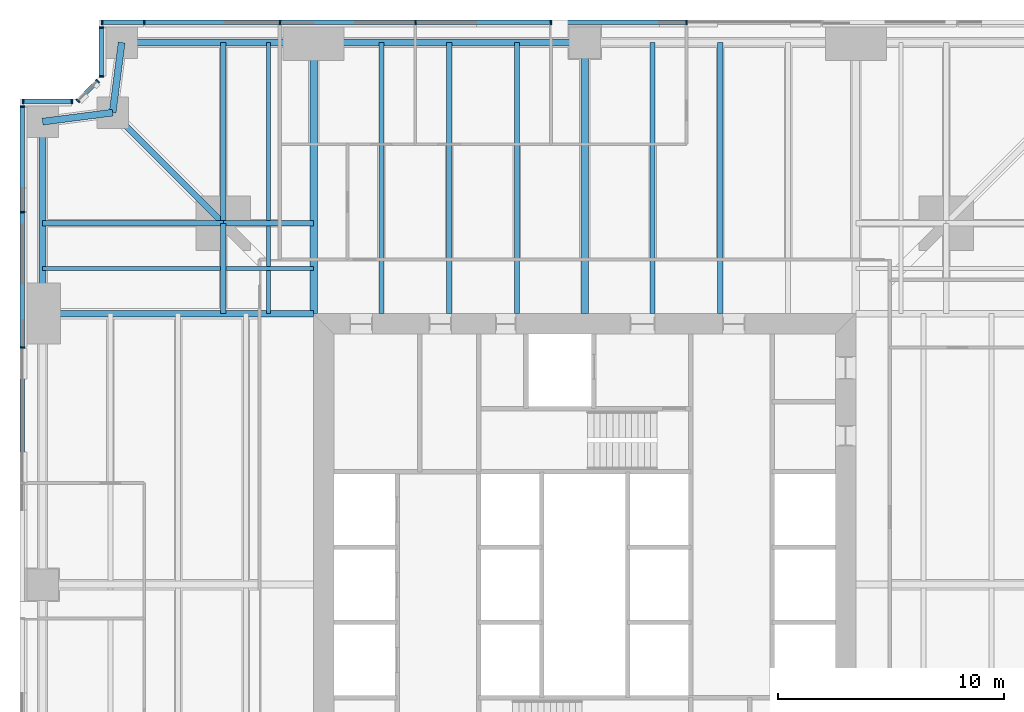
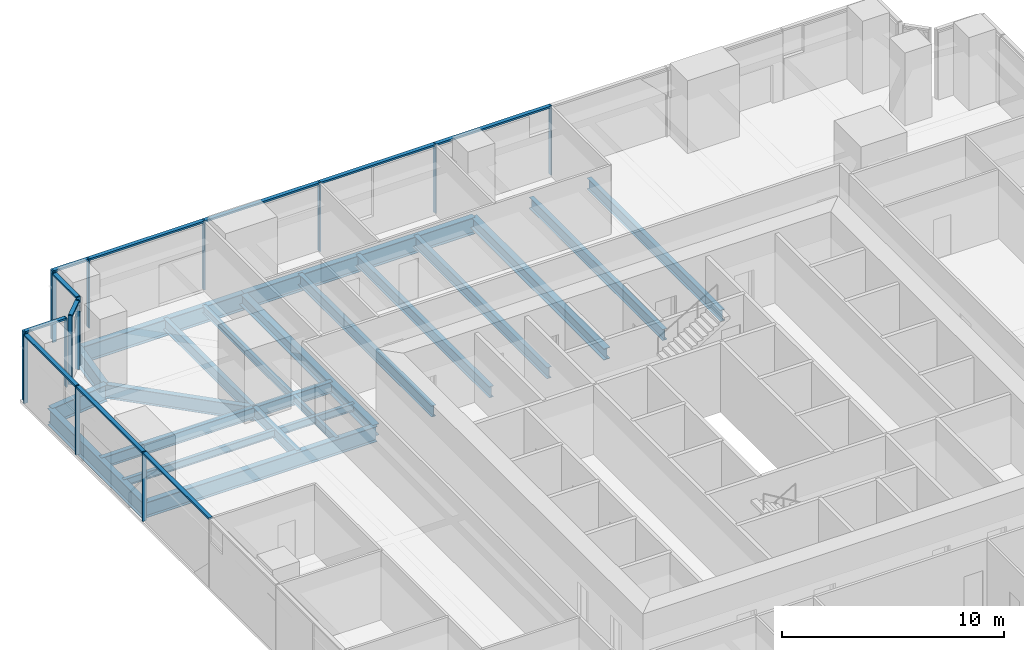
# One storey, part 6 of 14: 26 members, 23 beams, 5 elements without a shape of their own.
"""IFC4 building model written with IfcOpenShell, lengths in metres."""

import ifcopenshell
import ifcopenshell.guid

model = None  # the IFC model being written
_history = None  # IfcOwnerHistory: only IFC2X3 demands one
_inside = {}  # id of a spatial element -> (the spatial element, [elements in it])
_under = {}  # id of a project, library or spatial element -> (it, [spatial elements below it])
_declared = {}  # id of a project -> (the project, [libraries it declares])
_typed = {}  # id of a type object -> (the type object, [elements of that type])
_made_of = {}  # id of a material, layer set ... -> (it, [elements and type objects made of it])


def new_model(schema):
    """Start an empty IFC model of exactly this schema.

    Asked for "IFC4X3", IfcOpenShell would pick the latest addendum, in which some entities
    have other attributes; the version numbers below select the first issue.
    IFC2X3 requires an IfcOwnerHistory on every rooted entity: one is made here for all.
    """
    global model, _history
    if schema == "IFC4X3":
        model = ifcopenshell.file(schema_version=(4, 3, 0, 0))
    else:
        model = ifcopenshell.file(schema=schema)
    _inside.clear()
    _under.clear()
    _declared.clear()
    _typed.clear()
    _made_of.clear()
    _history = None
    if model.schema == "IFC2X3":
        org = make("IfcOrganization", Name="unknown")
        user = make(
            "IfcPersonAndOrganization",
            ThePerson=make("IfcPerson", FamilyName="unknown"),
            TheOrganization=org,
        )
        app = make(
            "IfcApplication",
            ApplicationDeveloper=org,
            Version="unknown",
            ApplicationFullName="unknown",
            ApplicationIdentifier="unknown",
        )
        _history = make(
            "IfcOwnerHistory",
            OwningUser=user,
            OwningApplication=app,
            ChangeAction="ADDED",
            CreationDate=0,
        )
    return model


def make(cls, **values):
    """One entity of the class cls with the attributes given. An attribute that is None is left unset."""
    return model.create_entity(
        cls, **{name: value for name, value in values.items() if value is not None}
    )


def rooted(cls, **values):
    """An entity with a GlobalId (a new one), such as an element, a storey or a relation."""
    return make(cls, GlobalId=ifcopenshell.guid.new(), OwnerHistory=_history, **values)


def si_unit(unit_type, name, prefix=None):
    """IfcSIUnit, for example si_unit("LENGTHUNIT", "METRE", prefix="MILLI")."""
    return make("IfcSIUnit", UnitType=unit_type, Prefix=prefix, Name=name)


def assignment(units):
    """IfcUnitAssignment: the units of a project."""
    return None if units is None else make("IfcUnitAssignment", Units=units)


def point(xyz):
    """IfcCartesianPoint."""
    return None if xyz is None else make("IfcCartesianPoint", Coordinates=xyz)


def direction(xyz):
    """IfcDirection."""
    return None if xyz is None else make("IfcDirection", DirectionRatios=xyz)


def frame(location, z_axis=None, x_axis=None):
    """IfcAxis2Placement3D, a coordinate frame: its origin and axes. An axis left out is left unset."""
    return make(
        "IfcAxis2Placement3D",
        Location=point(location),
        Axis=direction(z_axis),
        RefDirection=direction(x_axis),
    )


def frame_2d(location, x_axis=None):
    """IfcAxis2Placement2D, a coordinate frame in the plane: its origin and x axis."""
    return make(
        "IfcAxis2Placement2D", Location=point(location), RefDirection=direction(x_axis)
    )


def origin():
    """The frame at (0, 0, 0) with its axes left unset."""
    return frame((0.0, 0.0, 0.0))


def origin_2d():
    """The frame at (0, 0) in the plane with its x axis left unset."""
    return frame_2d((0.0, 0.0))


def place(relative_to, where):
    """IfcLocalPlacement: puts the frame where relative to a parent placement (None: the world)."""
    return make(
        "IfcLocalPlacement", PlacementRelTo=relative_to, RelativePlacement=where
    )


def context(
    kind, dimensions, precision=None, world=None, true_north=None, identifier=None
):
    """IfcGeometricRepresentationContext, for example the 3D "Model" context."""
    return make(
        "IfcGeometricRepresentationContext",
        ContextIdentifier=identifier,
        ContextType=kind,
        CoordinateSpaceDimension=dimensions,
        Precision=precision,
        WorldCoordinateSystem=world,
        TrueNorth=true_north,
    )


def subcontext(parent, identifier, kind, view, scale=None):
    """IfcGeometricRepresentationSubContext, for example "Body" below "Model"."""
    return make(
        "IfcGeometricRepresentationSubContext",
        ContextIdentifier=identifier,
        ContextType=kind,
        ParentContext=parent,
        TargetScale=scale,
        TargetView=view,
    )


def project(units=None, contexts=None):
    """IfcProject with its units and contexts."""
    return rooted(
        "IfcProject",
        Name="project",
        RepresentationContexts=contexts,
        UnitsInContext=assignment(units),
    )


def spatial(cls, under=None, at=None, **own):
    """A site, building, storey or space (cls), placed at a placement, below another one or the project."""
    s = rooted(cls, ObjectPlacement=at, **own)
    if under is not None:
        _under.setdefault(under.id(), (under, []))[1].append(s)
    return s


def profile(cls, at=None, kind="AREA", **sizes):
    """A parametric profile (cls). Its sizes go by their IFC names, for example OverallWidth=200.0."""
    return make(cls, ProfileType=kind, Position=at, **sizes)


def rectangle(**sizes):
    """IfcRectangleProfileDef."""
    return profile("IfcRectangleProfileDef", **sizes)


def i_section(**sizes):
    """IfcIShapeProfileDef."""
    return profile("IfcIShapeProfileDef", **sizes)


def extrude(swept, where, along, depth):
    """IfcExtrudedAreaSolid: the profile swept, set in the frame where, extruded along a direction by depth."""
    return make(
        "IfcExtrudedAreaSolid",
        SweptArea=swept,
        Position=where,
        ExtrudedDirection=direction(along),
        Depth=depth,
    )


def shape(context_of_items, identifier, shape_type, items):
    """IfcShapeRepresentation: the items that make up one representation, for example the "Body"."""
    return make(
        "IfcShapeRepresentation",
        ContextOfItems=context_of_items,
        RepresentationIdentifier=identifier,
        RepresentationType=shape_type,
        Items=items,
    )


def material(Name=None, Category=None):
    """IfcMaterial."""
    return make("IfcMaterial", Name=Name, Category=Category)


def material_profile(
    of_material, cross_section, Name=None, Category=None, Priority=None
):
    """IfcMaterialProfile: a cross section and its material."""
    return make(
        "IfcMaterialProfile",
        Name=Name,
        Material=of_material,
        Profile=cross_section,
        Priority=Priority,
        Category=Category,
    )


def profile_set(profiles, Name=None, composite=None):
    """IfcMaterialProfileSet."""
    return make(
        "IfcMaterialProfileSet",
        Name=Name,
        MaterialProfiles=profiles,
        CompositeProfile=composite,
    )


def made_of(thing, what):
    """Note that an element or type object is made of a material, layer set ...; save() writes the relation."""
    if what is not None:
        _made_of.setdefault(what.id(), (what, []))[1].append(thing)
    return thing


def type_object(cls, material=None, **own):
    """A type object (cls), such as IfcWallType, which elements share."""
    return made_of(rooted(cls, **own), material)


def element(
    cls,
    number,
    at=None,
    inside=None,
    cuts=None,
    type_object=None,
    material=None,
    context=None,
    identifier="Body",
    shape_type=None,
    held_by="IfcProductDefinitionShape",
    body=None,
    shapes=None,
    **own,
):
    """One element of the class cls, such as IfcWall. Its Tag is "e" and its number.

    at: its placement. inside: the storey or other place that contains it. cuts: it is an
    opening in that element (IfcRelVoidsElement). A single representation is given by context,
    identifier, shape_type and body (its items); several are given by shapes. held_by: the class
    of the entity that holds the representations. save() writes the other relations.
    """
    e = rooted(cls, Tag="e%d" % number, ObjectPlacement=at, **own)
    if body is not None:
        shapes = [shape(context, identifier, shape_type, body)]
    if shapes is not None:
        e.Representation = make(held_by, Representations=shapes)
    if inside is not None:
        _inside.setdefault(inside.id(), (inside, []))[1].append(e)
    if cuts is not None:
        rooted(
            "IfcRelVoidsElement", RelatingBuildingElement=cuts, RelatedOpeningElement=e
        )
    if type_object is not None:
        _typed.setdefault(type_object.id(), (type_object, []))[1].append(e)
    return made_of(e, material)


def aggregate(whole, parts):
    """IfcRelAggregates: a whole, such as a stair, and the parts it consists of."""
    return rooted("IfcRelAggregates", RelatingObject=whole, RelatedObjects=parts)


def save(model, path):
    """Write the relations noted so far, then the file.

    IfcRelAggregates (storeys below a building ...), IfcRelContainedInSpatialStructure (elements
    in a storey), IfcRelDefinesByType, IfcRelAssociatesMaterial and IfcRelDeclares: one each for
    every whole, place, type object, material and project.
    """
    for whole, parts in _under.values():
        aggregate(whole, parts)
    for where, things in _inside.values():
        rooted(
            "IfcRelContainedInSpatialStructure",
            RelatedElements=things,
            RelatingStructure=where,
        )
    for kind, things in _typed.values():
        rooted("IfcRelDefinesByType", RelatedObjects=things, RelatingType=kind)
    for what, things in _made_of.values():
        rooted("IfcRelAssociatesMaterial", RelatedObjects=things, RelatingMaterial=what)
    for by, libraries in _declared.values():
        rooted("IfcRelDeclares", RelatingContext=by, RelatedDefinitions=libraries)
    model.write(path)


model = new_model("IFC4")

# Units and contexts
model_context = context("Model", 3, precision=1e-05, world=origin(), true_north=direction((0.0, 1.0)))
body_context = subcontext(model_context, "Body", "Model", "MODEL_VIEW")
ifc_project = project(units=[si_unit("LENGTHUNIT", "METRE"), si_unit("AREAUNIT", "SQUARE_METRE"), si_unit("VOLUMEUNIT", "CUBIC_METRE"), si_unit("PLANEANGLEUNIT", "RADIAN"), si_unit("MASSUNIT", "GRAM", prefix="KILO")], contexts=[model_context])

# Site, building, storey
site_placement = place(None, origin())
site = spatial("IfcSite", under=ifc_project, at=site_placement, CompositionType="ELEMENT")
building_placement = place(site_placement, origin())
building = spatial("IfcBuilding", under=site, at=building_placement, Name="Fenwick Lantern Interchange", CompositionType="ELEMENT")
storey_placement = place(building_placement, frame((0.0, 0.0, 87.0)))
storey = spatial("IfcBuildingStorey", under=building, at=storey_placement, Name="L20", CompositionType="ELEMENT", Elevation=87.0)

# Beams
ifc_material_1 = material(Name="Steel ASTM A992 Grade 50", Category="steel")
ifc_material_profile_1 = material_profile(ifc_material_1, i_section(OverallWidth=0.3046875, OverallDepth=0.911865234375, WebThickness=0.015869140625, FlangeThickness=0.02392578125, at=origin_2d()), Name="W36X150")
ifc_profile_set_1 = profile_set([ifc_material_profile_1], Name="Steel ASTM A992 Grade 50")
beam_type_1 = type_object("IfcBeamType", Name="EDGE BEAM W36X150", PredefinedType="SPANDREL", material=ifc_profile_set_1)
beam_1_placement = place(storey_placement, frame((25.0, 49.0, -0.60595703125), z_axis=(-1.0, 0.0, 0.0), x_axis=(0.0, -1.0, 0.0)))
element("IfcBeam", 1, at=beam_1_placement, inside=storey, type_object=beam_type_1, Name="L20/FR/N/EB3", PredefinedType="SPANDREL", context=body_context, shape_type="SweptSolid", body=[
    extrude(i_section(OverallWidth=0.3046875, OverallDepth=0.911865234375, WebThickness=0.015869140625, FlangeThickness=0.02392578125, at=origin_2d()), origin(), (0.0, 0.0, 1.0), 12.0),
])
beam_2_placement = place(storey_placement, frame((13.0, 49.0, -0.60595703125), z_axis=(-1.0, 0.0, 0.0), x_axis=(0.0, -1.0, 0.0)))
element("IfcBeam", 2, at=beam_2_placement, inside=storey, type_object=beam_type_1, Name="L20/FR/N/EB4", PredefinedType="SPANDREL", context=body_context, shape_type="SweptSolid", body=[
    extrude(i_section(OverallWidth=0.3046875, OverallDepth=0.911865234375, WebThickness=0.015869140625, FlangeThickness=0.02392578125, at=origin_2d()), origin(), (0.0, 0.0, 1.0), 8.5),
])
for number, where, z_axis, x_axis, name in (
    (3, (4.5, 49.0, -0.60595703125), (-0.127936641807, -0.991782342897, 0.0), (0.991782342897, -0.127936641807, 0.0), "L20/FR/N/EBR1"),
    (4, (4.10009765625, 45.89990234375, -0.60595703125), (-0.991782342897, -0.127936641807, 0.0), (0.127936641807, -0.991782342897, 0.0), "L20/FR/N/EBR2"),
):
    element("IfcBeam", number, at=place(storey_placement, frame(where, z_axis=z_axis, x_axis=x_axis)), inside=storey, type_object=beam_type_1, Name=name, PredefinedType="SPANDREL", context=body_context, shape_type="SweptSolid", body=[
        extrude(i_section(OverallWidth=0.3046875, OverallDepth=0.911865234375, WebThickness=0.015869140625, FlangeThickness=0.02392578125, at=origin_2d()), origin(), (0.0, 0.0, 1.0), 3.125732421875),
    ])
beam_3_placement = place(storey_placement, frame((1.0, 45.5, -0.60595703125), z_axis=(0.0, -1.0, 0.0), x_axis=(1.0, 0.0, 0.0)))
element("IfcBeam", 5, at=beam_3_placement, inside=storey, type_object=beam_type_1, Name="L20/FR/W/EB1", PredefinedType="SPANDREL", context=body_context, shape_type="SweptSolid", body=[
    extrude(i_section(OverallWidth=0.3046875, OverallDepth=0.911865234375, WebThickness=0.015869140625, FlangeThickness=0.02392578125, at=origin_2d()), origin(), (0.0, 0.0, 1.0), 8.5),
])
ifc_material_profile_2 = material_profile(ifc_material_1, i_section(OverallWidth=0.22900390625, OverallDepth=0.612060546875, WebThickness=0.011962890625, FlangeThickness=0.01953125, at=origin_2d()), Name="W24X84")
ifc_profile_set_2 = profile_set([ifc_material_profile_2], Name="Steel ASTM A992 Grade 50")
beam_type_2 = type_object("IfcBeamType", Name="FLOOR BEAM W24X84", PredefinedType="BEAM", material=ifc_profile_set_2)
for number, where, z_axis, x_axis, name in (
    (6, (31.0, 49.0, -0.4560546875), (0.0, -1.0, 0.0), (1.0, 0.0, 0.0), "L20/FR/N/R03"),
    (7, (28.0, 49.0, -0.4560546875), (0.0, -1.0, 0.0), (1.0, 0.0, 0.0), "L20/FR/N/R04"),
    (8, (22.0, 49.0, -0.4560546875), (0.0, -1.0, 0.0), (1.0, 0.0, 0.0), "L20/FR/N/R06"),
    (9, (19.0, 49.0, -0.4560546875), (0.0, -1.0, 0.0), (1.0, 0.0, 0.0), "L20/FR/N/R07"),
    (10, (16.0, 49.0, -0.4560546875), (0.0, -1.0, 0.0), (1.0, 0.0, 0.0), "L20/FR/N/R08"),
):
    element("IfcBeam", number, at=place(storey_placement, frame(where, z_axis=z_axis, x_axis=x_axis)), inside=storey, type_object=beam_type_2, Name=name, PredefinedType="BEAM", context=body_context, shape_type="SweptSolid", body=[
        extrude(i_section(OverallWidth=0.22900390625, OverallDepth=0.612060546875, WebThickness=0.011962890625, FlangeThickness=0.01953125, at=origin_2d()), origin(), (0.0, 0.0, 1.0), 12.0),
    ])
ifc_material_profile_3 = material_profile(ifc_material_1, i_section(OverallWidth=0.177734375, OverallDepth=0.406494140625, WebThickness=0.0078125, FlangeThickness=0.012939453125, at=origin_2d()), Name="W16X40")
ifc_profile_set_3 = profile_set([ifc_material_profile_3], Name="Steel ASTM A992 Grade 50")
beam_type_3 = type_object("IfcBeamType", Name="INFILL BEAM W16X40", PredefinedType="JOIST", material=ifc_profile_set_3)
beam_4_placement = place(storey_placement, frame((1.0, 39.0, -0.353271484375), z_axis=(1.0, 0.0, 0.0), x_axis=(0.0, 1.0, 0.0)))
element("IfcBeam", 11, at=beam_4_placement, inside=storey, type_object=beam_type_3, Name="L20/FR/W/J1", PredefinedType="JOIST", context=body_context, shape_type="SweptSolid", body=[
    extrude(i_section(OverallWidth=0.177734375, OverallDepth=0.406494140625, WebThickness=0.0078125, FlangeThickness=0.012939453125, at=origin_2d()), origin(), (0.0, 0.0, 1.0), 7.885498046875),
])
beam_5_placement = place(storey_placement, frame((9.114501953125, 39.0, -0.353271484375), z_axis=(1.0, 0.0, 0.0), x_axis=(0.0, 1.0, 0.0)))
element("IfcBeam", 12, at=beam_5_placement, inside=storey, type_object=beam_type_3, Name="L20/FR/W/J2", PredefinedType="JOIST", context=body_context, shape_type="SweptSolid", body=[
    extrude(i_section(OverallWidth=0.177734375, OverallDepth=0.406494140625, WebThickness=0.0078125, FlangeThickness=0.012939453125, at=origin_2d()), origin(), (0.0, 0.0, 1.0), 3.885498046875),
])
beam_6_placement = place(storey_placement, frame((11.0, 49.0, -0.353271484375), z_axis=(0.0, -1.0, 0.0), x_axis=(1.0, 0.0, 0.0)))
element("IfcBeam", 13, at=beam_6_placement, inside=storey, type_object=beam_type_3, Name="L20/FR/W/J3", PredefinedType="JOIST", context=body_context, shape_type="SweptSolid", body=[
    extrude(i_section(OverallWidth=0.177734375, OverallDepth=0.406494140625, WebThickness=0.0078125, FlangeThickness=0.012939453125, at=origin_2d()), origin(), (0.0, 0.0, 1.0), 7.885498046875),
])
beam_7_placement = place(storey_placement, frame((11.0, 40.885498046875, -0.353271484375), z_axis=(0.0, -1.0, 0.0), x_axis=(1.0, 0.0, 0.0)))
element("IfcBeam", 14, at=beam_7_placement, inside=storey, type_object=beam_type_3, Name="L20/FR/W/J4", PredefinedType="JOIST", context=body_context, shape_type="SweptSolid", body=[
    extrude(i_section(OverallWidth=0.177734375, OverallDepth=0.406494140625, WebThickness=0.0078125, FlangeThickness=0.012939453125, at=origin_2d()), origin(), (0.0, 0.0, 1.0), 1.796630859375),
])
beam_8_placement = place(storey_placement, frame((11.0, 38.9111328125, -0.353271484375), z_axis=(0.0, -1.0, 0.0), x_axis=(1.0, 0.0, 0.0)))
element("IfcBeam", 15, at=beam_8_placement, inside=storey, type_object=beam_type_3, Name="L20/FR/W/J5", PredefinedType="JOIST", context=body_context, shape_type="SweptSolid", body=[
    extrude(i_section(OverallWidth=0.177734375, OverallDepth=0.406494140625, WebThickness=0.0078125, FlangeThickness=0.012939453125, at=origin_2d()), origin(), (0.0, 0.0, 1.0), 1.9111328125),
])
ifc_material_profile_4 = material_profile(ifc_material_1, i_section(OverallWidth=0.22900390625, OverallDepth=0.612060546875, WebThickness=0.011962890625, FlangeThickness=0.01953125, at=origin_2d()), Name="W24X84")
ifc_profile_set_4 = profile_set([ifc_material_profile_4], Name="Steel ASTM A992 Grade 50")
beam_type_4 = type_object("IfcBeamType", Name="MEGA COLUMN BEAM W24X84", PredefinedType="BEAM", material=ifc_profile_set_4)
for number, where, z_axis, x_axis, name in (
    (16, (9.0, 41.0, -0.4560546875), (-1.0, 0.0, 0.0), (0.0, -1.0, 0.0), "L20/FR/W/MB1"),
    (17, (9.0, 41.0, -0.4560546875), (0.0, 1.0, 0.0), (-1.0, 0.0, 0.0), "L20/FR/W/MB2"),
):
    element("IfcBeam", number, at=place(storey_placement, frame(where, z_axis=z_axis, x_axis=x_axis)), inside=storey, type_object=beam_type_4, Name=name, PredefinedType="BEAM", context=body_context, shape_type="SweptSolid", body=[
        extrude(i_section(OverallWidth=0.22900390625, OverallDepth=0.612060546875, WebThickness=0.011962890625, FlangeThickness=0.01953125, at=origin_2d()), origin(), (0.0, 0.0, 1.0), 8.0),
    ])
for number, where, z_axis, x_axis, name in (
    (18, (9.0, 41.0, -0.4560546875), (0.0, -1.0, 0.0), (1.0, 0.0, 0.0), "L20/FR/W/MB3"),
    (19, (9.0, 41.0, -0.4560546875), (1.0, 0.0, 0.0), (0.0, 1.0, 0.0), "L20/FR/W/MB4"),
):
    element("IfcBeam", number, at=place(storey_placement, frame(where, z_axis=z_axis, x_axis=x_axis)), inside=storey, type_object=beam_type_4, Name=name, PredefinedType="BEAM", context=body_context, shape_type="SweptSolid", body=[
        extrude(i_section(OverallWidth=0.22900390625, OverallDepth=0.612060546875, WebThickness=0.011962890625, FlangeThickness=0.01953125, at=origin_2d()), origin(), (0.0, 0.0, 1.0), 4.0),
    ])
ifc_material_profile_5 = material_profile(ifc_material_1, i_section(OverallWidth=0.32763671875, OverallDepth=0.622314453125, WebThickness=0.015380859375, FlangeThickness=0.0244140625, at=origin_2d()), Name="W24X131")
ifc_profile_set_5 = profile_set([ifc_material_profile_5], Name="Steel ASTM A992 Grade 50")
beam_type_5 = type_object("IfcBeamType", Name="MOMENT-CONNECTED GIRDER W24X131", PredefinedType="BEAM", material=ifc_profile_set_5)
for number, where, z_axis, x_axis, name in (
    (20, (25.0, 49.0, -0.461181640625), (0.0, -1.0, 0.0), (1.0, 0.0, 0.0), "L20/FR/N/R05"),
    (21, (13.0, 49.0, -0.461181640625), (0.0, -1.0, 0.0), (1.0, 0.0, 0.0), "L20/FR/N/R09"),
):
    element("IfcBeam", number, at=place(storey_placement, frame(where, z_axis=z_axis, x_axis=x_axis)), inside=storey, type_object=beam_type_5, Name=name, PredefinedType="BEAM", context=body_context, shape_type="SweptSolid", body=[
        extrude(i_section(OverallWidth=0.32763671875, OverallDepth=0.622314453125, WebThickness=0.015380859375, FlangeThickness=0.0244140625, at=origin_2d()), origin(), (0.0, 0.0, 1.0), 12.0),
    ])
ifc_material_profile_6 = material_profile(ifc_material_1, i_section(OverallWidth=0.2919921875, OverallDepth=0.845703125, WebThickness=0.015380859375, FlangeThickness=0.0244140625, at=origin_2d()), Name="W33X141")
ifc_profile_set_6 = profile_set([ifc_material_profile_6], Name="Steel ASTM A992 Grade 50")
beam_type_6 = type_object("IfcBeamType", Name="MOMENT-CONNECTED GIRDER W33X141", PredefinedType="BEAM", material=ifc_profile_set_6)
beam_9_placement = place(storey_placement, frame((1.0, 37.0, -0.572998046875), z_axis=(1.0, 0.0, 0.0), x_axis=(0.0, 1.0, 0.0)))
element("IfcBeam", 22, at=beam_9_placement, inside=storey, type_object=beam_type_6, Name="L20/FR/W/R01", PredefinedType="BEAM", context=body_context, shape_type="SweptSolid", body=[
    extrude(i_section(OverallWidth=0.2919921875, OverallDepth=0.845703125, WebThickness=0.015380859375, FlangeThickness=0.0244140625, at=origin_2d()), origin(), (0.0, 0.0, 1.0), 12.0),
])
ifc_material_profile_7 = material_profile(ifc_material_1, i_section(OverallWidth=0.2666015625, OverallDepth=0.7568359375, WebThickness=0.013916015625, FlangeThickness=0.019287109375, at=origin_2d()), Name="W30X108")
ifc_profile_set_7 = profile_set([ifc_material_profile_7], Name="Steel ASTM A992 Grade 50")
beam_type_7 = type_object("IfcBeamType", Name="NOTCH BEAM W30X108", PredefinedType="BEAM", material=ifc_profile_set_7)
beam_10_placement = place(storey_placement, frame((9.0, 41.0, -0.528564453125), z_axis=(-0.707106781187, 0.707106781187, 0.0), x_axis=(-0.707106781187, -0.707106781187, 0.0)))
element("IfcBeam", 23, at=beam_10_placement, inside=storey, type_object=beam_type_7, Name="L20/FR/W/TG", PredefinedType="BEAM", context=body_context, shape_type="SweptSolid", body=[
    extrude(i_section(OverallWidth=0.2666015625, OverallDepth=0.7568359375, WebThickness=0.013916015625, FlangeThickness=0.019287109375, at=origin_2d()), origin(), (0.0, 0.0, 1.0), 6.929443359375),
])

# Curtain wall, members
ifc_material_2 = material(Name="Aluminium curtain wall frame", Category="aluminium")
curtain_wall_type = type_object("IfcCurtainWallType", Name="OFFICE CURTAIN WALL", PredefinedType="USERDEFINED", material=ifc_material_2)
curtain_wall_1_placement = place(storey_placement, origin())
curtain_wall_1 = element("IfcCurtainWall", 24, at=curtain_wall_1_placement, inside=storey, type_object=curtain_wall_type, Name="Office curtain wall 09", ObjectType="OFFICE CURTAIN WALL", PredefinedType="USERDEFINED")
ifc_material_3 = material(Name="Aluminium extrusion", Category="aluminium")
ifc_material_profile_8 = material_profile(ifc_material_3, rectangle(XDim=0.199951171875, YDim=0.06494140625, at=origin_2d()), Name="OFFICE CURTAIN WALL MULLION 65 X 200")
ifc_profile_set_8 = profile_set([ifc_material_profile_8], Name="Aluminium extrusion")
member_type_1 = type_object("IfcMemberType", Name="OFFICE CURTAIN WALL MULLION 65 X 200", PredefinedType="MULLION", material=ifc_profile_set_8)
member_1_placement = place(storey_placement, frame((29.5, 49.89990234375, 0.0), z_axis=(0.0, 0.0, 1.0), x_axis=(0.0, -1.0, 0.0)))
member_1 = element("IfcMember", 25, at=member_1_placement, type_object=member_type_1, Name="L20/CW/09/M03", PredefinedType="MULLION", context=body_context, shape_type="SweptSolid", body=[
    extrude(rectangle(XDim=0.199951171875, YDim=0.06494140625, at=origin_2d()), origin(), (0.0, 0.0, 1.0), 3.800048828125),
])
member_2_placement = place(storey_placement, frame((23.5, 49.89990234375, 0.0), z_axis=(0.0, 0.0, 1.0), x_axis=(0.0, -1.0, 0.0)))
member_2 = element("IfcMember", 26, at=member_2_placement, type_object=member_type_1, Name="L20/CW/09/M04", PredefinedType="MULLION", context=body_context, shape_type="SweptSolid", body=[
    extrude(rectangle(XDim=0.199951171875, YDim=0.06494140625, at=origin_2d()), origin(), (0.0, 0.0, 1.0), 3.800048828125),
])
member_3_placement = place(storey_placement, frame((17.5, 49.89990234375, 0.0), z_axis=(0.0, 0.0, 1.0), x_axis=(0.0, -1.0, 0.0)))
member_3 = element("IfcMember", 27, at=member_3_placement, type_object=member_type_1, Name="L20/CW/09/M05", PredefinedType="MULLION", context=body_context, shape_type="SweptSolid", body=[
    extrude(rectangle(XDim=0.199951171875, YDim=0.06494140625, at=origin_2d()), origin(), (0.0, 0.0, 1.0), 3.800048828125),
])
member_4_placement = place(storey_placement, frame((11.5, 49.89990234375, 0.0), z_axis=(0.0, 0.0, 1.0), x_axis=(0.0, -1.0, 0.0)))
member_4 = element("IfcMember", 28, at=member_4_placement, type_object=member_type_1, Name="L20/CW/09/M06", PredefinedType="MULLION", context=body_context, shape_type="SweptSolid", body=[
    extrude(rectangle(XDim=0.199951171875, YDim=0.06494140625, at=origin_2d()), origin(), (0.0, 0.0, 1.0), 3.800048828125),
])
member_5_placement = place(storey_placement, frame((5.5, 49.89990234375, 0.0), z_axis=(0.0, 0.0, 1.0), x_axis=(0.0, -1.0, 0.0)))
member_5 = element("IfcMember", 29, at=member_5_placement, type_object=member_type_1, Name="L20/CW/09/M07", PredefinedType="MULLION", context=body_context, shape_type="SweptSolid", body=[
    extrude(rectangle(XDim=0.199951171875, YDim=0.06494140625, at=origin_2d()), origin(), (0.0, 0.0, 1.0), 3.800048828125),
])
member_6_placement = place(storey_placement, frame((3.632568359375, 49.89990234375, 0.0), z_axis=(0.0, 0.0, 1.0), x_axis=(0.0, -1.0, 0.0)))
member_6 = element("IfcMember", 30, at=member_6_placement, type_object=member_type_1, Name="L20/CW/09/M08", PredefinedType="MULLION", context=body_context, shape_type="SweptSolid", body=[
    extrude(rectangle(XDim=0.199951171875, YDim=0.06494140625, at=origin_2d()), origin(), (0.0, 0.0, 1.0), 3.800048828125),
])

curtain_wall_2_placement = place(storey_placement, origin())
curtain_wall_2 = element("IfcCurtainWall", 31, at=curtain_wall_2_placement, inside=storey, type_object=curtain_wall_type, Name="Office curtain wall 10", ObjectType="OFFICE CURTAIN WALL", PredefinedType="USERDEFINED")
member_7_placement = place(storey_placement, frame((3.60009765625, 49.66748046875, 0.0), z_axis=(0.0, 0.0, 1.0), x_axis=(1.0, 0.0, 0.0)))
member_7 = element("IfcMember", 32, at=member_7_placement, type_object=member_type_1, Name="L20/CW/10/M00", PredefinedType="MULLION", context=body_context, shape_type="SweptSolid", body=[
    extrude(rectangle(XDim=0.199951171875, YDim=0.06494140625, at=origin_2d()), origin(), (0.0, 0.0, 1.0), 3.800048828125),
])
member_8_placement = place(storey_placement, frame((3.60009765625, 47.490966796875, 0.0), z_axis=(0.0, 0.0, 1.0), x_axis=(1.0, 0.0, 0.0)))
member_8 = element("IfcMember", 33, at=member_8_placement, type_object=member_type_1, Name="L20/CW/10/M01", PredefinedType="MULLION", context=body_context, shape_type="SweptSolid", body=[
    extrude(rectangle(XDim=0.199951171875, YDim=0.06494140625, at=origin_2d()), origin(), (0.0, 0.0, 1.0), 3.800048828125),
])

curtain_wall_3_placement = place(storey_placement, origin())
curtain_wall_3 = element("IfcCurtainWall", 34, at=curtain_wall_3_placement, inside=storey, type_object=curtain_wall_type, Name="Office curtain wall 11", ObjectType="OFFICE CURTAIN WALL", PredefinedType="USERDEFINED")
member_9_placement = place(storey_placement, frame((3.435546875, 47.294189453125, 0.0), z_axis=(0.0, 0.0, 1.0), x_axis=(0.707106781187, -0.707106781187, 0.0)))
member_9 = element("IfcMember", 35, at=member_9_placement, type_object=member_type_1, Name="L20/CW/11/M00", PredefinedType="MULLION", context=body_context, shape_type="SweptSolid", body=[
    extrude(rectangle(XDim=0.199951171875, YDim=0.06494140625, at=origin_2d()), origin(), (0.0, 0.0, 1.0), 3.800048828125),
])
member_10_placement = place(storey_placement, frame((2.564453125, 46.423095703125, 0.0), z_axis=(0.0, 0.0, 1.0), x_axis=(0.707106781187, -0.707106781187, 0.0)))
member_10 = element("IfcMember", 36, at=member_10_placement, type_object=member_type_1, Name="L20/CW/11/M01", PredefinedType="MULLION", context=body_context, shape_type="SweptSolid", body=[
    extrude(rectangle(XDim=0.199951171875, YDim=0.06494140625, at=origin_2d()), origin(), (0.0, 0.0, 1.0), 3.800048828125),
])

curtain_wall_4_placement = place(storey_placement, origin())
curtain_wall_4 = element("IfcCurtainWall", 37, at=curtain_wall_4_placement, inside=storey, type_object=curtain_wall_type, Name="Office curtain wall 12", ObjectType="OFFICE CURTAIN WALL", PredefinedType="USERDEFINED")
member_11_placement = place(storey_placement, frame((2.308837890625, 46.39990234375, 0.0), z_axis=(0.0, 0.0, 1.0), x_axis=(0.0, -1.0, 0.0)))
member_11 = element("IfcMember", 38, at=member_11_placement, type_object=member_type_1, Name="L20/CW/12/M00", PredefinedType="MULLION", context=body_context, shape_type="SweptSolid", body=[
    extrude(rectangle(XDim=0.199951171875, YDim=0.06494140625, at=origin_2d()), origin(), (0.0, 0.0, 1.0), 3.800048828125),
])
member_12_placement = place(storey_placement, frame((0.132568359375, 46.39990234375, 0.0), z_axis=(0.0, 0.0, 1.0), x_axis=(0.0, -1.0, 0.0)))
member_12 = element("IfcMember", 39, at=member_12_placement, type_object=member_type_1, Name="L20/CW/12/M01", PredefinedType="MULLION", context=body_context, shape_type="SweptSolid", body=[
    extrude(rectangle(XDim=0.199951171875, YDim=0.06494140625, at=origin_2d()), origin(), (0.0, 0.0, 1.0), 3.800048828125),
])

curtain_wall_5_placement = place(storey_placement, origin())
curtain_wall_5 = element("IfcCurtainWall", 40, at=curtain_wall_5_placement, inside=storey, type_object=curtain_wall_type, Name="Office curtain wall 13", ObjectType="OFFICE CURTAIN WALL", PredefinedType="USERDEFINED")
member_13_placement = place(storey_placement, frame((0.10009765625, 46.16748046875, 0.0), z_axis=(0.0, 0.0, 1.0), x_axis=(1.0, 0.0, 0.0)))
member_13 = element("IfcMember", 41, at=member_13_placement, type_object=member_type_1, Name="L20/CW/13/M00", PredefinedType="MULLION", context=body_context, shape_type="SweptSolid", body=[
    extrude(rectangle(XDim=0.199951171875, YDim=0.06494140625, at=origin_2d()), origin(), (0.0, 0.0, 1.0), 3.800048828125),
])
member_14_placement = place(storey_placement, frame((0.10009765625, 41.5, 0.0), z_axis=(0.0, 0.0, 1.0), x_axis=(1.0, 0.0, 0.0)))
member_14 = element("IfcMember", 42, at=member_14_placement, type_object=member_type_1, Name="L20/CW/13/M01", PredefinedType="MULLION", context=body_context, shape_type="SweptSolid", body=[
    extrude(rectangle(XDim=0.199951171875, YDim=0.06494140625, at=origin_2d()), origin(), (0.0, 0.0, 1.0), 3.800048828125),
])
member_15_placement = place(storey_placement, frame((0.10009765625, 35.5, 0.0), z_axis=(0.0, 0.0, 1.0), x_axis=(1.0, 0.0, 0.0)))
member_15 = element("IfcMember", 43, at=member_15_placement, type_object=member_type_1, Name="L20/CW/13/M02", PredefinedType="MULLION", context=body_context, shape_type="SweptSolid", body=[
    extrude(rectangle(XDim=0.199951171875, YDim=0.06494140625, at=origin_2d()), origin(), (0.0, 0.0, 1.0), 3.800048828125),
])

# Member
ifc_material_profile_9 = material_profile(ifc_material_3, rectangle(XDim=0.199951171875, YDim=0.10009765625, at=origin_2d()), Name="OFFICE CURTAIN WALL TRANSOM 100 X 200")
ifc_profile_set_9 = profile_set([ifc_material_profile_9], Name="Aluminium extrusion")
member_type_2 = type_object("IfcMemberType", Name="OFFICE CURTAIN WALL TRANSOM 100 X 200", PredefinedType="MULLION", material=ifc_profile_set_9)
member_16_placement = place(storey_placement, frame((29.467529296875, 49.89990234375, 3.75), z_axis=(-1.0, 0.0, 0.0), x_axis=(0.0, -1.0, 0.0)))
member_16 = element("IfcMember", 44, at=member_16_placement, type_object=member_type_2, Name="L20/CW/09/T03", PredefinedType="MULLION", context=body_context, shape_type="SweptSolid", body=[
    extrude(rectangle(XDim=0.199951171875, YDim=0.10009765625, at=origin_2d()), origin(), (0.0, 0.0, 1.0), 5.93505859375),
])

member_17_placement = place(storey_placement, frame((23.467529296875, 49.89990234375, 3.75), z_axis=(-1.0, 0.0, 0.0), x_axis=(0.0, -1.0, 0.0)))
member_17 = element("IfcMember", 45, at=member_17_placement, type_object=member_type_2, Name="L20/CW/09/T04", PredefinedType="MULLION", context=body_context, shape_type="SweptSolid", body=[
    extrude(rectangle(XDim=0.199951171875, YDim=0.10009765625, at=origin_2d()), origin(), (0.0, 0.0, 1.0), 5.93505859375),
])

member_18_placement = place(storey_placement, frame((17.467529296875, 49.89990234375, 3.75), z_axis=(-1.0, 0.0, 0.0), x_axis=(0.0, -1.0, 0.0)))
member_18 = element("IfcMember", 46, at=member_18_placement, type_object=member_type_2, Name="L20/CW/09/T05", PredefinedType="MULLION", context=body_context, shape_type="SweptSolid", body=[
    extrude(rectangle(XDim=0.199951171875, YDim=0.10009765625, at=origin_2d()), origin(), (0.0, 0.0, 1.0), 5.93505859375),
])

member_19_placement = place(storey_placement, frame((11.467529296875, 49.89990234375, 3.75), z_axis=(-1.0, 0.0, 0.0), x_axis=(0.0, -1.0, 0.0)))
member_19 = element("IfcMember", 47, at=member_19_placement, type_object=member_type_2, Name="L20/CW/09/T06", PredefinedType="MULLION", context=body_context, shape_type="SweptSolid", body=[
    extrude(rectangle(XDim=0.199951171875, YDim=0.10009765625, at=origin_2d()), origin(), (0.0, 0.0, 1.0), 5.93505859375),
])

member_20_placement = place(storey_placement, frame((5.467529296875, 49.89990234375, 3.75), z_axis=(-1.0, 0.0, 0.0), x_axis=(0.0, -1.0, 0.0)))
member_20 = element("IfcMember", 48, at=member_20_placement, type_object=member_type_2, Name="L20/CW/09/T07", PredefinedType="MULLION", context=body_context, shape_type="SweptSolid", body=[
    extrude(rectangle(XDim=0.199951171875, YDim=0.10009765625, at=origin_2d()), origin(), (0.0, 0.0, 1.0), 1.802490234375),
])

aggregate(curtain_wall_1, [member_1, member_2, member_3, member_4, member_5, member_6, member_16, member_17, member_18, member_19, member_20])

member_21_placement = place(storey_placement, frame((3.60009765625, 49.635009765625, 3.75), z_axis=(0.0, -1.0, 0.0), x_axis=(1.0, 0.0, 0.0)))
member_21 = element("IfcMember", 49, at=member_21_placement, type_object=member_type_2, Name="L20/CW/10/T00", PredefinedType="MULLION", context=body_context, shape_type="SweptSolid", body=[
    extrude(rectangle(XDim=0.199951171875, YDim=0.10009765625, at=origin_2d()), origin(), (0.0, 0.0, 1.0), 2.111328125),
])

aggregate(curtain_wall_2, [member_7, member_8, member_21])

member_22_placement = place(storey_placement, frame((3.41259765625, 47.271240234375, 3.75), z_axis=(-0.707106781187, -0.707106781187, 0.0), x_axis=(0.707106781187, -0.707106781187, 0.0)))
member_22 = element("IfcMember", 50, at=member_22_placement, type_object=member_type_2, Name="L20/CW/11/T00", PredefinedType="MULLION", context=body_context, shape_type="SweptSolid", body=[
    extrude(rectangle(XDim=0.199951171875, YDim=0.10009765625, at=origin_2d()), origin(), (0.0, 0.0, 1.0), 1.1669921875),
])

aggregate(curtain_wall_3, [member_9, member_10, member_22])

member_23_placement = place(storey_placement, frame((2.2763671875, 46.39990234375, 3.75), z_axis=(-1.0, 0.0, 0.0), x_axis=(0.0, -1.0, 0.0)))
member_23 = element("IfcMember", 51, at=member_23_placement, type_object=member_type_2, Name="L20/CW/12/T00", PredefinedType="MULLION", context=body_context, shape_type="SweptSolid", body=[
    extrude(rectangle(XDim=0.199951171875, YDim=0.10009765625, at=origin_2d()), origin(), (0.0, 0.0, 1.0), 2.111328125),
])

aggregate(curtain_wall_4, [member_11, member_12, member_23])

member_24_placement = place(storey_placement, frame((0.10009765625, 46.135009765625, 3.75), z_axis=(0.0, -1.0, 0.0), x_axis=(1.0, 0.0, 0.0)))
member_24 = element("IfcMember", 52, at=member_24_placement, type_object=member_type_2, Name="L20/CW/13/T00", PredefinedType="MULLION", context=body_context, shape_type="SweptSolid", body=[
    extrude(rectangle(XDim=0.199951171875, YDim=0.10009765625, at=origin_2d()), origin(), (0.0, 0.0, 1.0), 4.6025390625),
])

member_25_placement = place(storey_placement, frame((0.10009765625, 41.467529296875, 3.75), z_axis=(0.0, -1.0, 0.0), x_axis=(1.0, 0.0, 0.0)))
member_25 = element("IfcMember", 53, at=member_25_placement, type_object=member_type_2, Name="L20/CW/13/T01", PredefinedType="MULLION", context=body_context, shape_type="SweptSolid", body=[
    extrude(rectangle(XDim=0.199951171875, YDim=0.10009765625, at=origin_2d()), origin(), (0.0, 0.0, 1.0), 5.93505859375),
])

member_26_placement = place(storey_placement, frame((0.10009765625, 35.467529296875, 3.75), z_axis=(0.0, -1.0, 0.0), x_axis=(1.0, 0.0, 0.0)))
member_26 = element("IfcMember", 54, at=member_26_placement, type_object=member_type_2, Name="L20/CW/13/T02", PredefinedType="MULLION", context=body_context, shape_type="SweptSolid", body=[
    extrude(rectangle(XDim=0.199951171875, YDim=0.10009765625, at=origin_2d()), origin(), (0.0, 0.0, 1.0), 5.93505859375),
])

aggregate(curtain_wall_5, [member_13, member_14, member_15, member_24, member_25, member_26])

save(model, "model.ifc")
